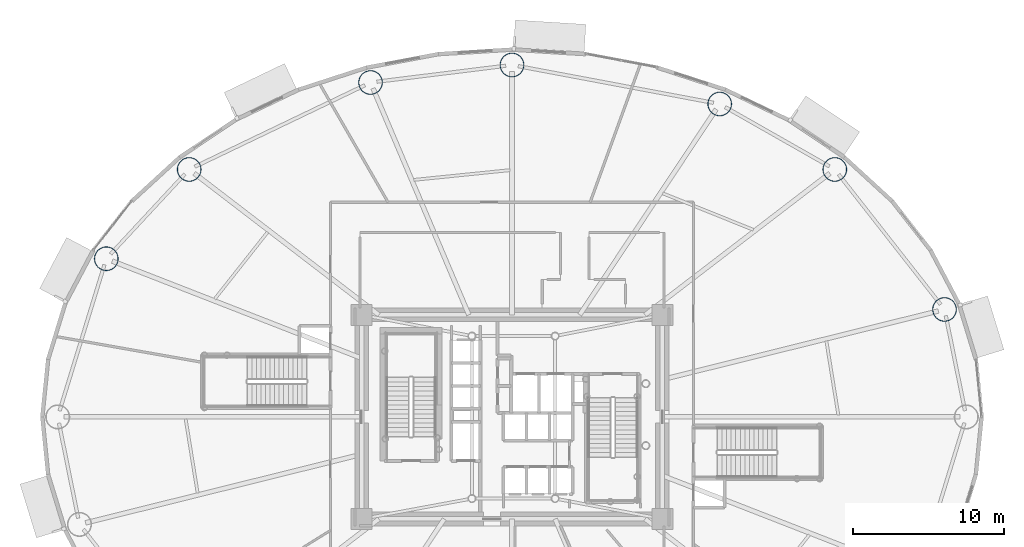
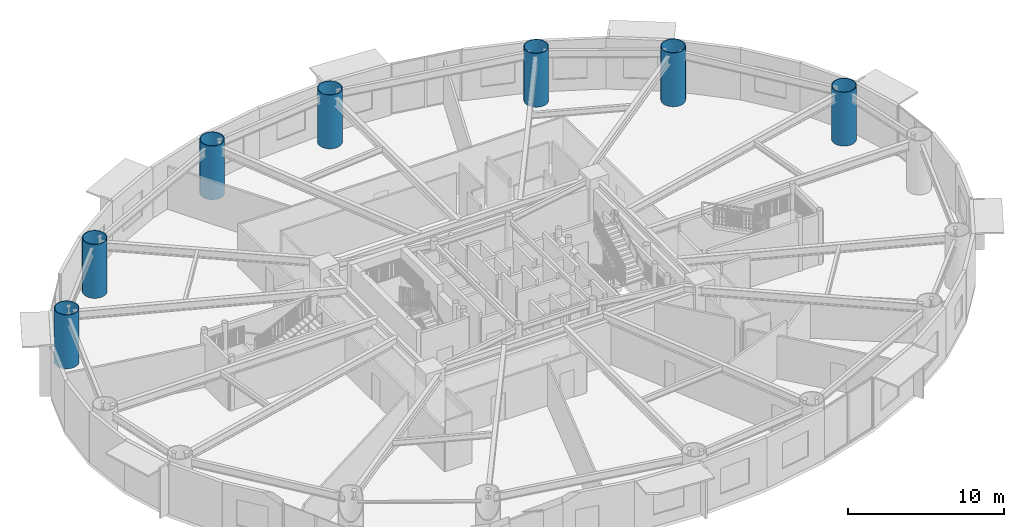
# One storey, part 3 of 28: 7 columns.
"""IFC4 building model written with IfcOpenShell, lengths in metres."""

from ifc_helpers import new_model, si_unit, direction, frame, origin, origin_2d, place, context, subcontext, project, spatial, hollow_circle, extrude, material, material_profile, profile_set, type_object, element, save


model = new_model("IFC4")

# Units and contexts
model_context = context("Model", 3, precision=1e-05, world=origin(), true_north=direction((0.0, 1.0)))
body_context = subcontext(model_context, "Body", "Model", "MODEL_VIEW")
ifc_project = project(units=[si_unit("LENGTHUNIT", "METRE"), si_unit("AREAUNIT", "SQUARE_METRE"), si_unit("VOLUMEUNIT", "CUBIC_METRE"), si_unit("PLANEANGLEUNIT", "RADIAN"), si_unit("MASSUNIT", "GRAM", prefix="KILO")], contexts=[model_context])

# Site, building, storey
site_placement = place(None, origin())
site = spatial("IfcSite", under=ifc_project, at=site_placement, CompositionType="ELEMENT")
building_placement = place(site_placement, origin())
building = spatial("IfcBuilding", under=site, at=building_placement, Name="Linh Dai School and Residence Tower", CompositionType="ELEMENT")
storey_placement = place(building_placement, frame((0.0, 0.0, 36.60009765625)))
storey = spatial("IfcBuildingStorey", under=building, at=storey_placement, Name="L08", CompositionType="ELEMENT", Elevation=36.60009765625)

# Columns
ifc_material = material(Name="Structural Steel S355JR", Category="steel")
ifc_material_profile = material_profile(ifc_material, hollow_circle(Radius=0.800048828125, WallThickness=0.044921875, at=origin_2d()), Name="CHS 1600x45")
ifc_profile_set = profile_set([ifc_material_profile], Name="Structural Steel S355JR")
column_type = type_object("IfcColumnType", Name="COL-MC2", PredefinedType="COLUMN", material=ifc_profile_set)
for number, where, z_axis, x_axis, name in (
    (1, (64.61083984375, 34.108642578125, 0.0), (0.0, 0.0, 1.0), (1.0, 0.0, 0.0), "L08 Perimeter CFT Mega-Column MC02"),
    (2, (57.352783203125, 43.369140625, 0.0), (0.0, 0.0, 1.0), (1.0, 0.0, 0.0), "L08 Perimeter CFT Mega-Column MC03"),
    (3, (49.73828125, 47.69921875, 0.0), (0.0, 0.0, 1.0), (1.0, 0.0, 0.0), "L08 Perimeter CFT Mega-Column MC04"),
    (4, (36.0, 50.280029296875, 0.0), (0.0, 0.0, 1.0), (1.0, 0.0, 0.0), "L08 Perimeter CFT Mega-Column MC05"),
    (5, (26.642333984375, 49.119873046875, 0.0), (0.0, 0.0, 1.0), (1.0, 0.0, 0.0), "L08 Perimeter CFT Mega-Column MC06"),
    (6, (14.647216796875, 43.369140625, 0.0), (0.0, 0.0, 1.0), (1.0, 0.0, 0.0), "L08 Perimeter CFT Mega-Column MC07"),
    (7, (9.16455078125, 37.4638671875, 0.0), (0.0, 0.0, 1.0), (1.0, 0.0, 0.0), "L08 Perimeter CFT Mega-Column MC08"),
):
    element("IfcColumn", number, at=place(storey_placement, frame(where, z_axis=z_axis, x_axis=x_axis)), inside=storey, type_object=column_type, Name=name, PredefinedType="COLUMN", context=body_context, shape_type="SweptSolid", body=[
        extrude(hollow_circle(Radius=0.800048828125, WallThickness=0.044921875, at=origin_2d()), origin(), (0.0, 0.0, 1.0), 4.199951171875),
    ])

save(model, "model.ifc")
